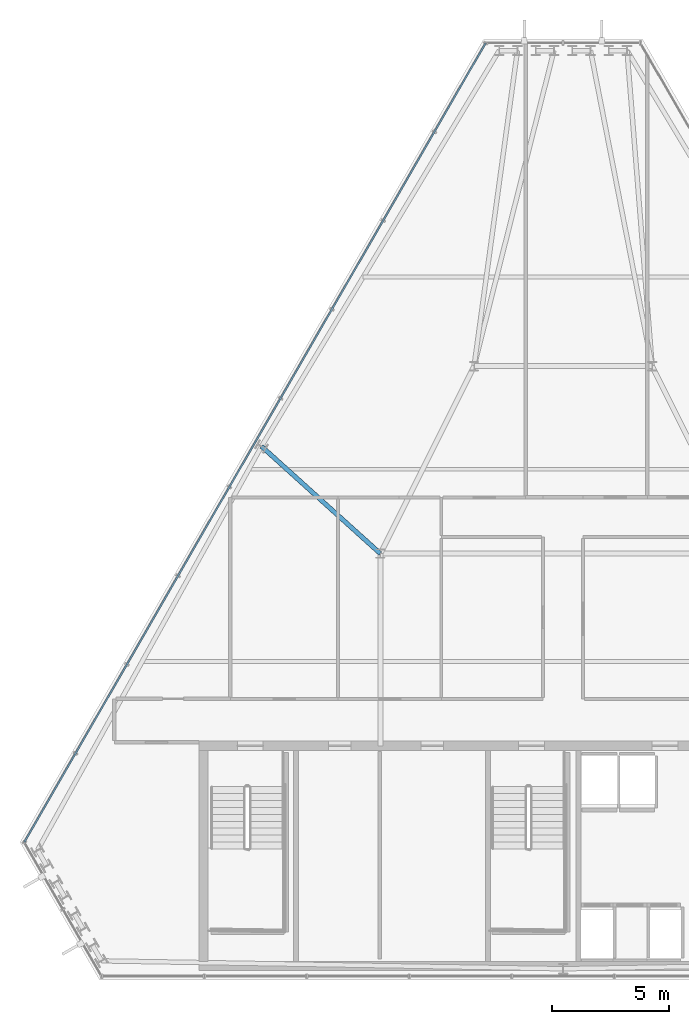
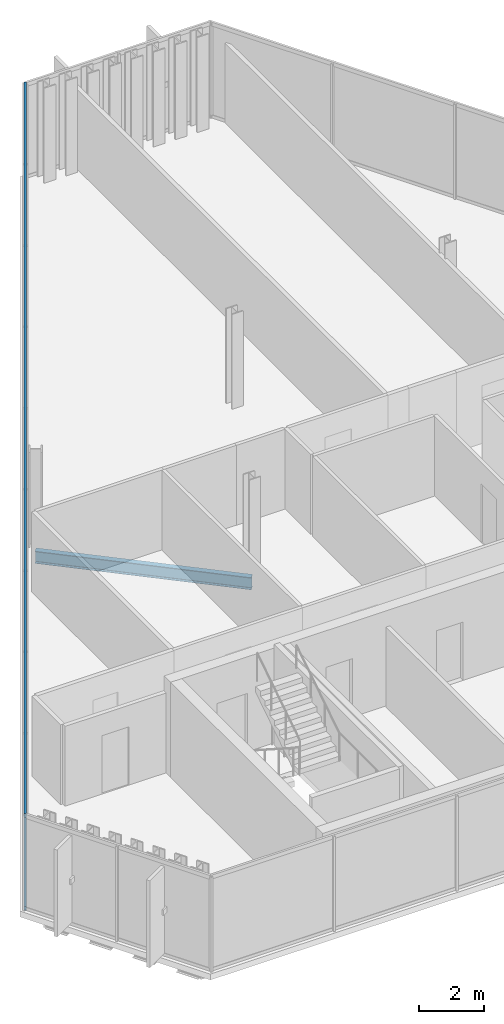
# One storey, part 11 of 29: 2 members, 1 beam, 1 element without a shape of its own.
"""IFC4 building model written with IfcOpenShell, lengths in metres."""

from ifc_helpers import new_model, si_unit, direction, frame, origin, origin_2d, place, context, subcontext, project, spatial, hollow_rectangle, i_section, extrude, material, layer, layer_set, material_profile, profile_set, type_object, element, aggregate, save


model = new_model("IFC4")

# Units and contexts
model_context = context("Model", 3, precision=1e-05, world=origin(), true_north=direction((0.0, 1.0)))
body_context = subcontext(model_context, "Body", "Model", "MODEL_VIEW")
ifc_project = project(units=[si_unit("LENGTHUNIT", "METRE"), si_unit("AREAUNIT", "SQUARE_METRE"), si_unit("VOLUMEUNIT", "CUBIC_METRE"), si_unit("PLANEANGLEUNIT", "RADIAN"), si_unit("MASSUNIT", "GRAM", prefix="KILO")], contexts=[model_context])

# Site, building, storey
site_placement = place(None, origin())
site = spatial("IfcSite", under=ifc_project, at=site_placement, CompositionType="ELEMENT")
building_placement = place(site_placement, origin())
building = spatial("IfcBuilding", under=site, at=building_placement, Name="Ndaravel Arena Tower", CompositionType="ELEMENT")
storey_placement = place(building_placement, frame((0.0, 0.0, 244.60009765625)))
storey = spatial("IfcBuildingStorey", under=building, at=storey_placement, Name="L59", CompositionType="ELEMENT", Elevation=244.60009765625)

# Beam
ifc_material_1 = material(Name="Steel S355", Category="steel")
ifc_material_profile_1 = material_profile(ifc_material_1, i_section(OverallWidth=0.19140625, OverallDepth=0.4599609375, WebThickness=0.010009765625, FlangeThickness=0.01611328125, FilletRadius=0.01025390625, at=origin_2d()), Name="UB 457x191x82")
ifc_profile_set_1 = profile_set([ifc_material_profile_1], Name="Steel S355")
beam_type = type_object("IfcBeamType", Name="BM-GIRD-UB457", PredefinedType="BEAM", material=ifc_profile_set_1)
beam_placement = place(storey_placement, frame((29.12744140625, 27.77587890625, -0.4501953125), z_axis=(0.742517096227, -0.669827113374, 0.0), x_axis=(0.669827113374, 0.742517096227, 0.0)))
element("IfcBeam", 1, at=beam_placement, inside=storey, type_object=beam_type, Name="L59 Radial Floor Girder FG-19", PredefinedType="BEAM", context=body_context, shape_type="SweptSolid", body=[
    extrude(i_section(OverallWidth=0.19140625, OverallDepth=0.4599609375, WebThickness=0.010009765625, FlangeThickness=0.01611328125, FilletRadius=0.01025390625, at=origin_2d()), origin(), (0.0, 0.0, 1.0), 6.83154296875),
])

# Curtain wall, members
ifc_material_2 = material(Name="Aluminium", Category="aluminium")
ifc_layer = layer(ifc_material_2, 0.179931640625)
ifc_layer_set = layer_set([ifc_layer], Name="Aluminium")
curtain_wall_type = type_object("IfcCurtainWallType", Name="CW-SYS-03", PredefinedType="NOTDEFINED", material=ifc_layer_set)
curtain_wall_placement = place(storey_placement, origin())
curtain_wall = element("IfcCurtainWall", 2, at=curtain_wall_placement, inside=storey, type_object=curtain_wall_type, Name="L59 Faceted Crystal Curtain Wall CW-L59-E05", PredefinedType="NOTDEFINED")
ifc_material_3 = material(Name="Aluminium", Category="aluminium")
ifc_material_profile_2 = material_profile(ifc_material_3, hollow_rectangle(XDim=0.074951171875, YDim=0.14990234375, WallThickness=0.00390625, at=origin_2d()), Name="CW TRANSOM 75x150x4")
ifc_profile_set_2 = profile_set([ifc_material_profile_2], Name="Aluminium")
member_type = type_object("IfcMemberType", Name="MEM-CW-TRN150", PredefinedType="USERDEFINED", material=ifc_profile_set_2)
member_1_placement = place(storey_placement, frame((38.6962890625, 44.989501953125, 0.039794921875), z_axis=(-0.499999339774, -0.866025784966, 0.0), x_axis=(0.866025784966, -0.499999339774, 0.0)))
member_1 = element("IfcMember", 3, at=member_1_placement, type_object=member_type, Name="CW-L59-E05 Transom 01", ObjectType="TRANSOM", PredefinedType="USERDEFINED", context=body_context, shape_type="SweptSolid", body=[
    extrude(hollow_rectangle(XDim=0.074951171875, YDim=0.14990234375, WallThickness=0.00390625, at=origin_2d()), origin(), (0.0, 0.0, 1.0), 39.3837890625),
])
member_2_placement = place(storey_placement, frame((38.6962890625, 44.989501953125, 3.539794921875), z_axis=(-0.499999339774, -0.866025784966, 0.0), x_axis=(0.866025784966, -0.499999339774, 0.0)))
member_2 = element("IfcMember", 4, at=member_2_placement, type_object=member_type, Name="CW-L59-E05 Transom 02", ObjectType="TRANSOM", PredefinedType="USERDEFINED", context=body_context, shape_type="SweptSolid", body=[
    extrude(hollow_rectangle(XDim=0.074951171875, YDim=0.14990234375, WallThickness=0.00390625, at=origin_2d()), origin(), (0.0, 0.0, 1.0), 39.3837890625),
])
aggregate(curtain_wall, [member_1, member_2])

save(model, "model.ifc")
